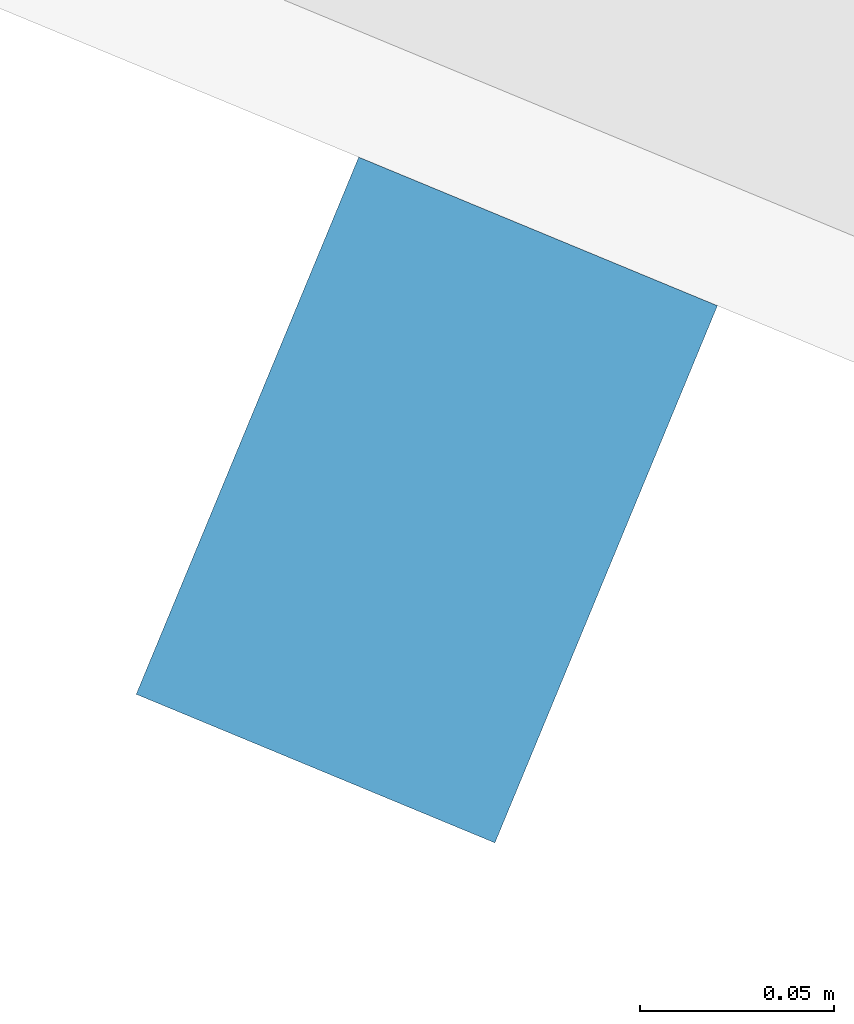
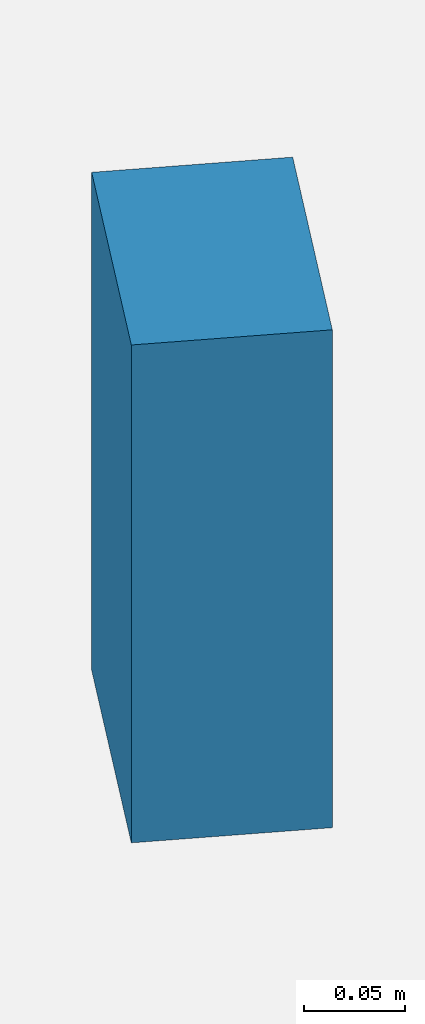
# One storey, part 9 of 28: 1 discrete accessory.
"""IFC4 building model written with IfcOpenShell, lengths in metres."""

from ifc_helpers import new_model, si_unit, direction, frame, origin, origin_2d, place, context, subcontext, project, spatial, rectangle, extrude, material, type_object, element, save


model = new_model("IFC4")

# Units and contexts
model_context = context("Model", 3, precision=1e-05, world=origin(), true_north=direction((0.0, 1.0)))
body_context = subcontext(model_context, "Body", "Model", "MODEL_VIEW")
ifc_project = project(units=[si_unit("LENGTHUNIT", "METRE"), si_unit("AREAUNIT", "SQUARE_METRE"), si_unit("VOLUMEUNIT", "CUBIC_METRE"), si_unit("PLANEANGLEUNIT", "RADIAN"), si_unit("MASSUNIT", "GRAM", prefix="KILO")], contexts=[model_context])

# Site, building, storey
site_placement = place(None, origin())
site = spatial("IfcSite", under=ifc_project, at=site_placement, CompositionType="ELEMENT")
building_placement = place(site_placement, origin())
building = spatial("IfcBuilding", under=site, at=building_placement, Name="Qamariyya Broadcast Tower", CompositionType="ELEMENT")
storey_placement = place(building_placement, frame((0.0, 0.0, 230.300048828125)))
storey = spatial("IfcBuildingStorey", under=building, at=storey_placement, Name="L55", CompositionType="ELEMENT", Elevation=230.300048828125)

# Discrete accessory
ifc_material = material(Name="Stainless steel 316", Category="steel")
discrete_accessory_type = type_object("IfcDiscreteAccessoryType", Name="Slab edge fixing angle, stainless steel", PredefinedType="BRACKET", material=ifc_material)
discrete_accessory_placement = place(storey_placement, frame((-33.626708984375, -71.100341796875, 3.2998046875), z_axis=(0.0, 0.0, 1.0), x_axis=(0.923879532511, -0.382683432365, 0.0)))
element("IfcDiscreteAccessory", 1, at=discrete_accessory_placement, inside=storey, type_object=discrete_accessory_type, Name="e-br-L55-05-0", PredefinedType="BRACKET", context=body_context, shape_type="SweptSolid", body=[
    extrude(rectangle(XDim=0.10009765625, YDim=0.14990234375, at=origin_2d()), origin(), (0.0, 0.0, 1.0), 0.300048828125),
])

save(model, "model.ifc")
